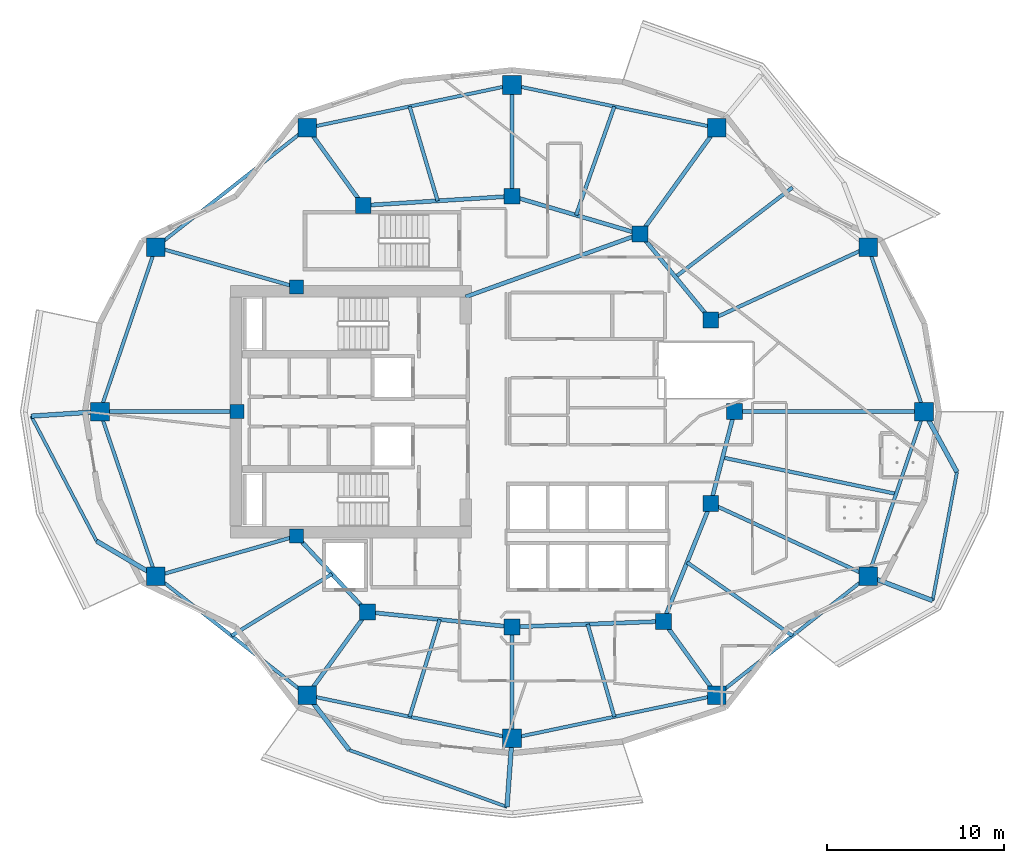
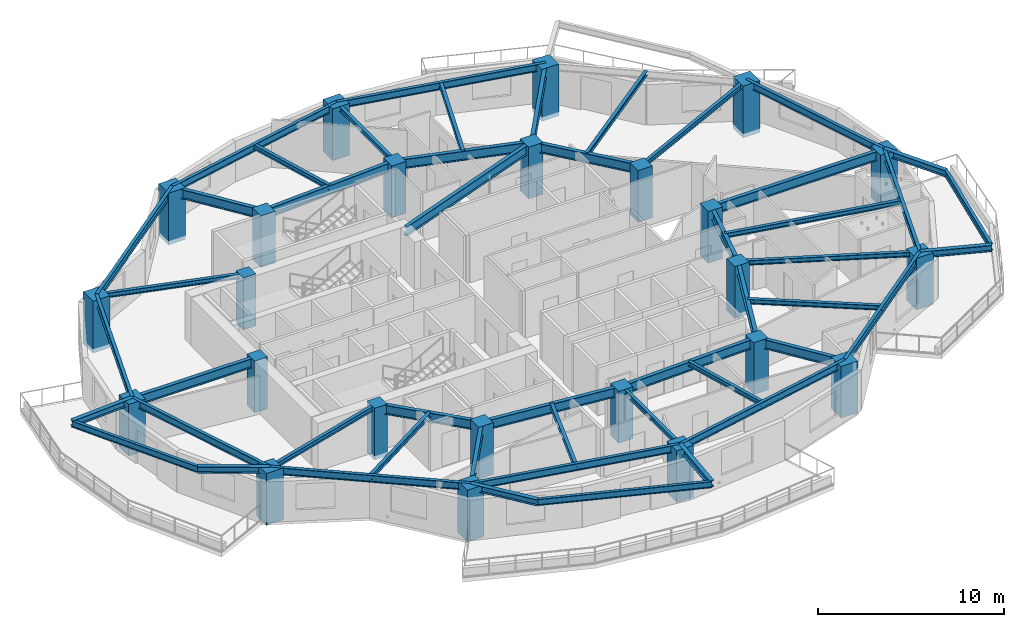
# One storey, part 1 of 14: 49 beams, 24 columns.
"""IFC4 building model written with IfcOpenShell, lengths in metres."""

from ifc_helpers import new_model, si_unit, direction, frame, origin, origin_2d, place, context, subcontext, project, spatial, rectangle, i_section, extrude, material, material_profile, profile_set, type_object, element, save


model = new_model("IFC4")

# Units and contexts
model_context = context("Model", 3, precision=1e-05, world=origin(), true_north=direction((0.0, 1.0)))
body_context = subcontext(model_context, "Body", "Model", "MODEL_VIEW")
ifc_project = project(units=[si_unit("LENGTHUNIT", "METRE"), si_unit("AREAUNIT", "SQUARE_METRE"), si_unit("VOLUMEUNIT", "CUBIC_METRE"), si_unit("PLANEANGLEUNIT", "RADIAN"), si_unit("MASSUNIT", "GRAM", prefix="KILO")], contexts=[model_context])

# Site, building, storey
site_placement = place(None, origin())
site = spatial("IfcSite", under=ifc_project, at=site_placement, CompositionType="ELEMENT")
building_placement = place(site_placement, origin())
building = spatial("IfcBuilding", under=site, at=building_placement, Name="Kolvaren Gate Tower and Convention Centre", CompositionType="ELEMENT")
storey_placement = place(building_placement, frame((0.0, 0.0, 112.10009765625)))
storey = spatial("IfcBuildingStorey", under=building, at=storey_placement, Name="L27", CompositionType="ELEMENT", Elevation=112.10009765625)

# Columns
ifc_material_1 = material(Name="Concrete C60/75", Category="concrete")
ifc_material_profile_1 = material_profile(ifc_material_1, rectangle(XDim=1.050048828125, YDim=1.050048828125, at=origin_2d()), Name="RC-COL-1050X1050")
ifc_profile_set_1 = profile_set([ifc_material_profile_1], Name="Concrete C60/75")
column_type_1 = type_object("IfcColumnType", Name="STR-COL-RC1050", PredefinedType="COLUMN", material=ifc_profile_set_1)
for number, where, z_axis, x_axis, name in (
    (1, (53.46240234375, 27.0, -0.27001953125), (0.0, 0.0, 1.0), (1.0, 0.0, 0.0), "Tower L27 Perimeter Supercolumn TP-01"),
    (2, (50.30029296875, 36.318603515625, -0.27001953125), (0.0, 0.0, 1.0), (1.0, 0.0, 0.0), "Tower L27 Perimeter Supercolumn TP-02"),
    (3, (41.721435546875, 43.068359375, -0.27001953125), (0.0, 0.0, 1.0), (1.0, 0.0, 0.0), "Tower L27 Perimeter Supercolumn TP-03"),
    (4, (30.125, 45.5, -0.27001953125), (0.0, 0.0, 1.0), (1.0, 0.0, 0.0), "Tower L27 Perimeter Supercolumn TP-04"),
    (5, (18.52880859375, 43.068359375, -0.27001953125), (0.0, 0.0, 1.0), (1.0, 0.0, 0.0), "Tower L27 Perimeter Supercolumn TP-05"),
    (6, (9.94970703125, 36.318603515625, -0.27001953125), (0.0, 0.0, 1.0), (1.0, 0.0, 0.0), "Tower L27 Perimeter Supercolumn TP-06"),
    (7, (6.78759765625, 27.0, -0.27001953125), (0.0, 0.0, 1.0), (1.0, 0.0, 0.0), "Tower L27 Perimeter Supercolumn TP-07"),
    (8, (9.94970703125, 17.681396484375, -0.27001953125), (0.0, 0.0, 1.0), (1.0, 0.0, 0.0), "Tower L27 Perimeter Supercolumn TP-08"),
    (9, (18.528564453125, 10.931640625, -0.27001953125), (0.0, 0.0, 1.0), (1.0, 0.0, 0.0), "Tower L27 Perimeter Supercolumn TP-09"),
    (10, (30.125, 8.5, -0.27001953125), (0.0, 0.0, 1.0), (1.0, 0.0, 0.0), "Tower L27 Perimeter Supercolumn TP-10"),
    (11, (41.721435546875, 10.931640625, -0.27001953125), (0.0, 0.0, 1.0), (1.0, 0.0, 0.0), "Tower L27 Perimeter Supercolumn TP-11"),
    (12, (50.30029296875, 17.681396484375, -0.27001953125), (0.0, 0.0, 1.0), (1.0, 0.0, 0.0), "Tower L27 Perimeter Supercolumn TP-12"),
):
    element("IfcColumn", number, at=place(storey_placement, frame(where, z_axis=z_axis, x_axis=x_axis)), inside=storey, type_object=column_type_1, Name=name, PredefinedType="COLUMN", context=body_context, shape_type="SweptSolid", body=[
        extrude(rectangle(XDim=1.050048828125, YDim=1.050048828125, at=origin_2d()), origin(), (0.0, 0.0, 1.0), 3.39990234375),
    ])
ifc_material_profile_2 = material_profile(ifc_material_1, rectangle(XDim=0.89990234375, YDim=0.89990234375, at=origin_2d()), Name="RC-COL-900X900")
ifc_profile_set_2 = profile_set([ifc_material_profile_2], Name="Concrete C60/75")
column_type_2 = type_object("IfcColumnType", Name="STR-COL-RC900", PredefinedType="COLUMN", material=ifc_profile_set_2)
for number, where, z_axis, x_axis, name in (
    (13, (42.72509765625, 27.0, -0.27001953125), (0.0, 0.0, 1.0), (1.0, 0.0, 0.0), "Tower L27 Interior Column TI-01"),
    (14, (41.382080078125, 32.199462890625, -0.27001953125), (0.0, 0.0, 1.0), (1.0, 0.0, 0.0), "Tower L27 Interior Column TI-02"),
    (15, (37.381591796875, 37.054931640625, -0.27001953125), (0.0, 0.0, 1.0), (1.0, 0.0, 0.0), "Tower L27 Interior Column TI-03"),
    (16, (30.125, 39.199951171875, -0.27001953125), (0.0, 0.0, 1.0), (1.0, 0.0, 0.0), "Tower L27 Interior Column TI-04"),
    (17, (21.697998046875, 38.6767578125, -0.27001953125), (0.0, 0.0, 1.0), (1.0, 0.0, 0.0), "Tower L27 Interior Column TI-05"),
    (18, (21.93212890625, 15.647705078125, -0.27001953125), (0.0, 0.0, 1.0), (1.0, 0.0, 0.0), "Tower L27 Interior Column TI-06"),
    (19, (30.125, 14.800048828125, -0.27001953125), (0.0, 0.0, 1.0), (1.0, 0.0, 0.0), "Tower L27 Interior Column TI-07"),
    (20, (38.6982421875, 15.12060546875, -0.27001953125), (0.0, 0.0, 1.0), (1.0, 0.0, 0.0), "Tower L27 Interior Column TI-08"),
    (21, (41.382080078125, 21.800537109375, -0.27001953125), (0.0, 0.0, 1.0), (1.0, 0.0, 0.0), "Tower L27 Interior Column TI-09"),
):
    element("IfcColumn", number, at=place(storey_placement, frame(where, z_axis=z_axis, x_axis=x_axis)), inside=storey, type_object=column_type_2, Name=name, PredefinedType="COLUMN", context=body_context, shape_type="SweptSolid", body=[
        extrude(rectangle(XDim=0.89990234375, YDim=0.89990234375, at=origin_2d()), origin(), (0.0, 0.0, 1.0), 3.39990234375),
    ])
ifc_material_profile_3 = material_profile(ifc_material_1, rectangle(XDim=0.800048828125, YDim=0.800048828125, at=origin_2d()), Name="RC-COL-800X800")
ifc_profile_set_3 = profile_set([ifc_material_profile_3], Name="Concrete C60/75")
column_type_3 = type_object("IfcColumnType", Name="STR-PIL-RC800", PredefinedType="PILASTER", material=ifc_profile_set_3)
for number, where, z_axis, x_axis, name in (
    (22, (17.9140625, 34.050048828125, -0.27001953125), (0.0, 0.0, 1.0), (1.0, 0.0, 0.0), "Tower L27 Core Boundary Pilaster TC-05"),
    (23, (14.550048828125, 27.0, -0.27001953125), (0.0, 0.0, 1.0), (1.0, 0.0, 0.0), "Tower L27 Core Boundary Pilaster TC-06"),
    (24, (17.9140625, 19.949951171875, -0.27001953125), (0.0, 0.0, 1.0), (1.0, 0.0, 0.0), "Tower L27 Core Boundary Pilaster TC-07"),
):
    element("IfcColumn", number, at=place(storey_placement, frame(where, z_axis=z_axis, x_axis=x_axis)), inside=storey, type_object=column_type_3, Name=name, PredefinedType="PILASTER", context=body_context, shape_type="SweptSolid", body=[
        extrude(rectangle(XDim=0.800048828125, YDim=0.800048828125, at=origin_2d()), origin(), (0.0, 0.0, 1.0), 3.39990234375),
    ])

# Beams
ifc_material_2 = material(Name="Structural steel ASTM A992 Grade 345 MPa", Category="steel")
ifc_material_profile_4 = material_profile(ifc_material_2, i_section(OverallWidth=0.260009765625, OverallDepth=0.419921875, WebThickness=0.013427734375, FlangeThickness=0.0224609375, at=origin_2d()), Name="W410X132")
ifc_profile_set_4 = profile_set([ifc_material_profile_4], Name="Structural steel ASTM A992 Grade 345 MPa")
beam_type_1 = type_object("IfcBeamType", Name="STR-BM-W410X132", PredefinedType="BEAM", material=ifc_profile_set_4)
for number, where, z_axis, x_axis, name in (
    (25, (6.78759765625, 27.0, 2.92041015625), (-0.997849773417, -0.06554257922, 0.0), (0.06554257922, -0.997849773417, 0.0), "Tower L28 Planted Balcony Outrigger Cantilever BC-2A"),
    (26, (9.94970703125, 17.681396484375, 2.92041015625), (-0.860390154059, 0.509635931621, 0.0), (-0.509635931621, -0.860390154059, 0.0), "Tower L28 Planted Balcony Outrigger Cantilever BC-2B"),
    (27, (18.528564453125, 10.931640625, 2.92041015625), (0.607684772981, -0.794178328014, 0.0), (0.794178328014, 0.607684772981, 0.0), "Tower L28 Planted Balcony Outrigger Cantilever BC-3A"),
    (28, (30.125, 8.5, 2.92041015625), (-0.072866291763, -0.997341718532, 0.0), (0.997341718532, -0.072866291763, 0.0), "Tower L28 Planted Balcony Outrigger Cantilever BC-3B"),
    (29, (50.30029296875, 17.681396484375, 2.92041015625), (0.935054778076, -0.354503260912, 0.0), (0.354503260912, 0.935054778076, 0.0), "Tower L28 Planted Balcony Outrigger Cantilever BC-4A"),
):
    element("IfcBeam", number, at=place(storey_placement, frame(where, z_axis=z_axis, x_axis=x_axis)), inside=storey, type_object=beam_type_1, Name=name, PredefinedType="BEAM", context=body_context, shape_type="SweptSolid", body=[
        extrude(i_section(OverallWidth=0.260009765625, OverallDepth=0.419921875, WebThickness=0.013427734375, FlangeThickness=0.0224609375, at=origin_2d()), origin(), (0.0, 0.0, 1.0), 3.89990234375),
    ])
beam_1_placement = place(storey_placement, frame((53.46240234375, 27.0, 2.92041015625), z_axis=(0.478878445754, -0.877881218726, 0.0), x_axis=(0.877881218726, 0.478878445754, 0.0)))
element("IfcBeam", 30, at=beam_1_placement, inside=storey, type_object=beam_type_1, Name="Tower L28 Planted Balcony Outrigger Cantilever BC-4B", PredefinedType="BEAM", context=body_context, shape_type="SweptSolid", body=[
    extrude(i_section(OverallWidth=0.260009765625, OverallDepth=0.419921875, WebThickness=0.013427734375, FlangeThickness=0.0224609375, at=origin_2d()), origin(), (0.0, 0.0, 1.0), 3.900146484375),
])
ifc_material_profile_5 = material_profile(ifc_material_2, i_section(OverallWidth=0.22998046875, OverallDepth=0.616943359375, WebThickness=0.01318359375, FlangeThickness=0.022216796875, at=origin_2d()), Name="W610X140")
ifc_profile_set_5 = profile_set([ifc_material_profile_5], Name="Structural steel ASTM A992 Grade 345 MPa")
beam_type_2 = type_object("IfcBeamType", Name="STR-BM-W610X140", PredefinedType="BEAM", material=ifc_profile_set_5)
beam_2_placement = place(storey_placement, frame((42.72509765625, 27.0, 2.8212890625), z_axis=(-0.250091133936, -0.968222301296, 0.0), x_axis=(0.968222301296, -0.250091133936, 0.0)))
element("IfcBeam", 31, at=beam_2_placement, inside=storey, type_object=beam_type_2, Name="Tower L27 Primary Ring Girder G-01", PredefinedType="BEAM", context=body_context, shape_type="SweptSolid", body=[
    extrude(i_section(OverallWidth=0.22998046875, OverallDepth=0.616943359375, WebThickness=0.01318359375, FlangeThickness=0.022216796875, at=origin_2d()), origin(), (0.0, 0.0, 1.0), 5.3701171875),
])
beam_3_placement = place(storey_placement, frame((41.382080078125, 32.199462890625, 2.8212890625), z_axis=(-0.635884066011, 0.771784590798, 0.0), x_axis=(-0.771784590798, -0.635884066011, 0.0)))
element("IfcBeam", 32, at=beam_3_placement, inside=storey, type_object=beam_type_2, Name="Tower L27 Primary Ring Girder G-02", PredefinedType="BEAM", context=body_context, shape_type="SweptSolid", body=[
    extrude(i_section(OverallWidth=0.22998046875, OverallDepth=0.616943359375, WebThickness=0.01318359375, FlangeThickness=0.022216796875, at=origin_2d()), origin(), (0.0, 0.0, 1.0), 6.291259765625),
])
beam_4_placement = place(storey_placement, frame((37.381591796875, 37.054931640625, 2.8212890625), z_axis=(-0.958980837827, 0.283470902706, 0.0), x_axis=(-0.283470902706, -0.958980837827, 0.0)))
element("IfcBeam", 33, at=beam_4_placement, inside=storey, type_object=beam_type_2, Name="Tower L27 Primary Ring Girder G-03", PredefinedType="BEAM", context=body_context, shape_type="SweptSolid", body=[
    extrude(i_section(OverallWidth=0.22998046875, OverallDepth=0.616943359375, WebThickness=0.01318359375, FlangeThickness=0.022216796875, at=origin_2d()), origin(), (0.0, 0.0, 1.0), 7.56689453125),
])
beam_5_placement = place(storey_placement, frame((30.125, 39.199951171875, 2.8212890625), z_axis=(-0.998078258568, -0.06196603726, 0.0), x_axis=(0.06196603726, -0.998078258568, 0.0)))
element("IfcBeam", 34, at=beam_5_placement, inside=storey, type_object=beam_type_2, Name="Tower L27 Primary Ring Girder G-04", PredefinedType="BEAM", context=body_context, shape_type="SweptSolid", body=[
    extrude(i_section(OverallWidth=0.22998046875, OverallDepth=0.616943359375, WebThickness=0.01318359375, FlangeThickness=0.022216796875, at=origin_2d()), origin(), (0.0, 0.0, 1.0), 8.443115234375),
])
beam_6_placement = place(storey_placement, frame((17.9140625, 19.949951171875, 2.8212890625), z_axis=(0.682557592987, -0.730831808459, 0.0), x_axis=(0.730831808459, 0.682557592987, 0.0)))
element("IfcBeam", 35, at=beam_6_placement, inside=storey, type_object=beam_type_2, Name="Tower L27 Primary Ring Girder G-06", PredefinedType="BEAM", context=body_context, shape_type="SweptSolid", body=[
    extrude(i_section(OverallWidth=0.22998046875, OverallDepth=0.616943359375, WebThickness=0.01318359375, FlangeThickness=0.022216796875, at=origin_2d()), origin(), (0.0, 0.0, 1.0), 5.88671875),
])
beam_7_placement = place(storey_placement, frame((21.93212890625, 15.647705078125, 2.8212890625), z_axis=(0.994690329115, -0.102913308978, 0.0), x_axis=(0.102913308978, 0.994690329115, 0.0)))
element("IfcBeam", 36, at=beam_7_placement, inside=storey, type_object=beam_type_2, Name="Tower L27 Primary Ring Girder G-07", PredefinedType="BEAM", context=body_context, shape_type="SweptSolid", body=[
    extrude(i_section(OverallWidth=0.22998046875, OverallDepth=0.616943359375, WebThickness=0.01318359375, FlangeThickness=0.022216796875, at=origin_2d()), origin(), (0.0, 0.0, 1.0), 8.236572265625),
])
beam_8_placement = place(storey_placement, frame((30.125, 14.800048828125, 2.8212890625), z_axis=(0.999301712453, 0.037364254142, 0.0), x_axis=(-0.037364254142, 0.999301712453, 0.0)))
element("IfcBeam", 37, at=beam_8_placement, inside=storey, type_object=beam_type_2, Name="Tower L27 Primary Ring Girder G-08", PredefinedType="BEAM", context=body_context, shape_type="SweptSolid", body=[
    extrude(i_section(OverallWidth=0.22998046875, OverallDepth=0.616943359375, WebThickness=0.01318359375, FlangeThickness=0.022216796875, at=origin_2d()), origin(), (0.0, 0.0, 1.0), 8.579345703125),
])
beam_9_placement = place(storey_placement, frame((38.6982421875, 15.12060546875, 2.8212890625), z_axis=(0.372811100169, 0.927907260232, 0.0), x_axis=(-0.927907260232, 0.372811100169, 0.0)))
element("IfcBeam", 38, at=beam_9_placement, inside=storey, type_object=beam_type_2, Name="Tower L27 Primary Ring Girder G-09", PredefinedType="BEAM", context=body_context, shape_type="SweptSolid", body=[
    extrude(i_section(OverallWidth=0.22998046875, OverallDepth=0.616943359375, WebThickness=0.01318359375, FlangeThickness=0.022216796875, at=origin_2d()), origin(), (0.0, 0.0, 1.0), 7.198974609375),
])
beam_10_placement = place(storey_placement, frame((27.5, 33.5, 2.8212890625), z_axis=(0.940961479908, 0.338513653093, 0.0), x_axis=(-0.338513653093, 0.940961479908, 0.0)))
element("IfcBeam", 39, at=beam_10_placement, inside=storey, type_object=beam_type_2, Name="Tower L27 Primary Ring Girder G-10", PredefinedType="BEAM", context=body_context, shape_type="SweptSolid", body=[
    extrude(i_section(OverallWidth=0.22998046875, OverallDepth=0.616943359375, WebThickness=0.01318359375, FlangeThickness=0.022216796875, at=origin_2d()), origin(), (0.0, 0.0, 1.0), 10.501708984375),
])
beam_11_placement = place(storey_placement, frame((42.72509765625, 27.0, 2.8212890625), z_axis=(1.0, 0.0, 0.0), x_axis=(0.0, 1.0, 0.0)))
element("IfcBeam", 40, at=beam_11_placement, inside=storey, type_object=beam_type_2, Name="Tower L27 Radial Floor Girder RB-01", PredefinedType="BEAM", context=body_context, shape_type="SweptSolid", body=[
    extrude(i_section(OverallWidth=0.22998046875, OverallDepth=0.616943359375, WebThickness=0.01318359375, FlangeThickness=0.022216796875, at=origin_2d()), origin(), (0.0, 0.0, 1.0), 10.7373046875),
])
beam_12_placement = place(storey_placement, frame((37.381591796875, 37.054931640625, 2.8212890625), z_axis=(0.585208050015, 0.810883184064, 0.0), x_axis=(-0.810883184064, 0.585208050015, 0.0)))
element("IfcBeam", 41, at=beam_12_placement, inside=storey, type_object=beam_type_2, Name="Tower L27 Radial Floor Girder RB-03", PredefinedType="BEAM", context=body_context, shape_type="SweptSolid", body=[
    extrude(i_section(OverallWidth=0.22998046875, OverallDepth=0.616943359375, WebThickness=0.01318359375, FlangeThickness=0.022216796875, at=origin_2d()), origin(), (0.0, 0.0, 1.0), 7.416015625),
])
beam_13_placement = place(storey_placement, frame((21.697998046875, 38.6767578125, 2.8212890625), z_axis=(-0.585184369967, 0.810900273243, 0.0), x_axis=(-0.810900273243, -0.585184369967, 0.0)))
element("IfcBeam", 42, at=beam_13_placement, inside=storey, type_object=beam_type_2, Name="Tower L27 Radial Floor Girder RB-05", PredefinedType="BEAM", context=body_context, shape_type="SweptSolid", body=[
    extrude(i_section(OverallWidth=0.22998046875, OverallDepth=0.616943359375, WebThickness=0.01318359375, FlangeThickness=0.022216796875, at=origin_2d()), origin(), (0.0, 0.0, 1.0), 5.415771484375),
])
beam_14_placement = place(storey_placement, frame((14.550048828125, 27.0, 2.8212890625), z_axis=(-1.0, 0.0, 0.0), x_axis=(0.0, -1.0, 0.0)))
element("IfcBeam", 43, at=beam_14_placement, inside=storey, type_object=beam_type_2, Name="Tower L27 Radial Floor Girder RB-07", PredefinedType="BEAM", context=body_context, shape_type="SweptSolid", body=[
    extrude(i_section(OverallWidth=0.22998046875, OverallDepth=0.616943359375, WebThickness=0.01318359375, FlangeThickness=0.022216796875, at=origin_2d()), origin(), (0.0, 0.0, 1.0), 7.762451171875),
])
beam_15_placement = place(storey_placement, frame((21.93212890625, 15.647705078125, 2.8212890625), z_axis=(-0.585210043569, -0.810881745328, 0.0), x_axis=(0.810881745328, -0.585210043569, 0.0)))
element("IfcBeam", 44, at=beam_15_placement, inside=storey, type_object=beam_type_2, Name="Tower L27 Radial Floor Girder RB-09", PredefinedType="BEAM", context=body_context, shape_type="SweptSolid", body=[
    extrude(i_section(OverallWidth=0.22998046875, OverallDepth=0.616943359375, WebThickness=0.01318359375, FlangeThickness=0.022216796875, at=origin_2d()), origin(), (0.0, 0.0, 1.0), 5.81591796875),
])
beam_16_placement = place(storey_placement, frame((38.6982421875, 15.12060546875, 2.8212890625), z_axis=(0.585214440031, -0.810878572401, 0.0), x_axis=(0.810878572401, 0.585214440031, 0.0)))
element("IfcBeam", 45, at=beam_16_placement, inside=storey, type_object=beam_type_2, Name="Tower L27 Radial Floor Girder RB-11", PredefinedType="BEAM", context=body_context, shape_type="SweptSolid", body=[
    extrude(i_section(OverallWidth=0.22998046875, OverallDepth=0.616943359375, WebThickness=0.01318359375, FlangeThickness=0.022216796875, at=origin_2d()), origin(), (0.0, 0.0, 1.0), 5.166015625),
])
ifc_material_profile_6 = material_profile(ifc_material_2, i_section(OverallWidth=0.205078125, OverallDepth=0.31005859375, WebThickness=0.009521484375, FlangeThickness=0.016357421875, at=origin_2d()), Name="W310X74")
ifc_profile_set_6 = profile_set([ifc_material_profile_6], Name="Structural steel ASTM A992 Grade 345 MPa")
beam_type_3 = type_object("IfcBeamType", Name="STR-JS-W310X74", PredefinedType="JOIST", material=ifc_profile_set_6)
beam_17_placement = place(storey_placement, frame((41.382080078125, 32.199462890625, 2.974853515625), z_axis=(0.907841510795, 0.419313476146, 0.0), x_axis=(-0.419313476146, 0.907841510795, 0.0)))
element("IfcBeam", 46, at=beam_17_placement, inside=storey, type_object=beam_type_3, Name="Tower L27 Radial Floor Girder RB-02", PredefinedType="JOIST", context=body_context, shape_type="SweptSolid", body=[
    extrude(i_section(OverallWidth=0.205078125, OverallDepth=0.31005859375, WebThickness=0.009521484375, FlangeThickness=0.016357421875, at=origin_2d()), origin(), (0.0, 0.0, 1.0), 9.823486328125),
])
beam_18_placement = place(storey_placement, frame((30.125, 39.199951171875, 2.974853515625), z_axis=(0.0, 1.0, 0.0), x_axis=(-1.0, 0.0, 0.0)))
element("IfcBeam", 47, at=beam_18_placement, inside=storey, type_object=beam_type_3, Name="Tower L27 Radial Floor Girder RB-04", PredefinedType="JOIST", context=body_context, shape_type="SweptSolid", body=[
    extrude(i_section(OverallWidth=0.205078125, OverallDepth=0.31005859375, WebThickness=0.009521484375, FlangeThickness=0.016357421875, at=origin_2d()), origin(), (0.0, 0.0, 1.0), 6.300048828125),
])
for number, where, z_axis, x_axis, name in (
    (48, (17.9140625, 34.050048828125, 2.974853515625), (-0.961746134311, 0.27394228067, 0.0), (-0.27394228067, -0.961746134311, 0.0), "Tower L27 Radial Floor Girder RB-06"),
    (49, (17.9140625, 19.949951171875, 2.974853515625), (-0.961746134311, -0.27394228067, 0.0), (0.27394228067, -0.961746134311, 0.0), "Tower L27 Radial Floor Girder RB-08"),
):
    element("IfcBeam", number, at=place(storey_placement, frame(where, z_axis=z_axis, x_axis=x_axis)), inside=storey, type_object=beam_type_3, Name=name, PredefinedType="JOIST", context=body_context, shape_type="SweptSolid", body=[
        extrude(i_section(OverallWidth=0.205078125, OverallDepth=0.31005859375, WebThickness=0.009521484375, FlangeThickness=0.016357421875, at=origin_2d()), origin(), (0.0, 0.0, 1.0), 8.28125),
    ])
beam_19_placement = place(storey_placement, frame((30.125, 14.800048828125, 2.974853515625), z_axis=(0.0, -1.0, 0.0), x_axis=(1.0, 0.0, 0.0)))
element("IfcBeam", 50, at=beam_19_placement, inside=storey, type_object=beam_type_3, Name="Tower L27 Radial Floor Girder RB-10", PredefinedType="JOIST", context=body_context, shape_type="SweptSolid", body=[
    extrude(i_section(OverallWidth=0.205078125, OverallDepth=0.31005859375, WebThickness=0.009521484375, FlangeThickness=0.016357421875, at=origin_2d()), origin(), (0.0, 0.0, 1.0), 6.300048828125),
])
beam_20_placement = place(storey_placement, frame((41.382080078125, 21.800537109375, 2.974853515625), z_axis=(0.907841510795, -0.419313476146, 0.0), x_axis=(0.419313476146, 0.907841510795, 0.0)))
element("IfcBeam", 51, at=beam_20_placement, inside=storey, type_object=beam_type_3, Name="Tower L27 Radial Floor Girder RB-12", PredefinedType="JOIST", context=body_context, shape_type="SweptSolid", body=[
    extrude(i_section(OverallWidth=0.205078125, OverallDepth=0.31005859375, WebThickness=0.009521484375, FlangeThickness=0.016357421875, at=origin_2d()), origin(), (0.0, 0.0, 1.0), 9.823486328125),
])
beam_21_placement = place(storey_placement, frame((39.3818359375, 34.627197265625, 2.974853515625), z_axis=(0.79454218325, 0.607208958297, 0.0), x_axis=(-0.607208958297, 0.79454218325, 0.0)))
element("IfcBeam", 52, at=beam_21_placement, inside=storey, type_object=beam_type_3, Name="Tower L27 Secondary Composite Floor Joist J-02.1", PredefinedType="JOIST", context=body_context, shape_type="SweptSolid", body=[
    extrude(i_section(OverallWidth=0.205078125, OverallDepth=0.31005859375, WebThickness=0.009521484375, FlangeThickness=0.016357421875, at=origin_2d()), origin(), (0.0, 0.0, 1.0), 8.34326171875),
])
beam_22_placement = place(storey_placement, frame((33.75341796875, 38.12744140625, 2.974853515625), z_axis=(0.332372088023, 0.943148342046, 0.0), x_axis=(-0.943148342046, 0.332372088023, 0.0)))
element("IfcBeam", 53, at=beam_22_placement, inside=storey, type_object=beam_type_3, Name="Tower L27 Secondary Composite Floor Joist J-03.1", PredefinedType="JOIST", context=body_context, shape_type="SweptSolid", body=[
    extrude(i_section(OverallWidth=0.205078125, OverallDepth=0.31005859375, WebThickness=0.009521484375, FlangeThickness=0.016357421875, at=origin_2d()), origin(), (0.0, 0.0, 1.0), 6.52783203125),
])
beam_23_placement = place(storey_placement, frame((25.91162109375, 38.938232421875, 2.974853515625), z_axis=(-0.284209081553, 0.958762326107, 0.0), x_axis=(-0.958762326107, -0.284209081553, 0.0)))
element("IfcBeam", 54, at=beam_23_placement, inside=storey, type_object=beam_type_3, Name="Tower L27 Secondary Composite Floor Joist J-04.1", PredefinedType="JOIST", context=body_context, shape_type="SweptSolid", body=[
    extrude(i_section(OverallWidth=0.205078125, OverallDepth=0.31005859375, WebThickness=0.009521484375, FlangeThickness=0.016357421875, at=origin_2d()), origin(), (0.0, 0.0, 1.0), 5.575927734375),
])
beam_24_placement = place(storey_placement, frame((19.923095703125, 17.798828125, 2.974853515625), z_axis=(-0.852013723702, -0.523519450091, 0.0), x_axis=(0.523519450091, -0.852013723702, 0.0)))
element("IfcBeam", 55, at=beam_24_placement, inside=storey, type_object=beam_type_3, Name="Tower L27 Secondary Composite Floor Joist J-08.1", PredefinedType="JOIST", context=body_context, shape_type="SweptSolid", body=[
    extrude(i_section(OverallWidth=0.205078125, OverallDepth=0.31005859375, WebThickness=0.009521484375, FlangeThickness=0.016357421875, at=origin_2d()), origin(), (0.0, 0.0, 1.0), 6.671142578125),
])
beam_25_placement = place(storey_placement, frame((26.028564453125, 15.223876953125, 2.974853515625), z_axis=(-0.295174836894, -0.95544325612, 0.0), x_axis=(0.95544325612, -0.295174836894, 0.0)))
element("IfcBeam", 56, at=beam_25_placement, inside=storey, type_object=beam_type_3, Name="Tower L27 Secondary Composite Floor Joist J-09.1", PredefinedType="JOIST", context=body_context, shape_type="SweptSolid", body=[
    extrude(i_section(OverallWidth=0.205078125, OverallDepth=0.31005859375, WebThickness=0.009521484375, FlangeThickness=0.016357421875, at=origin_2d()), origin(), (0.0, 0.0, 1.0), 5.764892578125),
])
beam_26_placement = place(storey_placement, frame((34.41162109375, 14.960205078125, 2.974853515625), z_axis=(0.27693589933, -0.960888395009, 0.0), x_axis=(0.960888395009, 0.27693589933, 0.0)))
element("IfcBeam", 57, at=beam_26_placement, inside=storey, type_object=beam_type_3, Name="Tower L27 Secondary Composite Floor Joist J-10.1", PredefinedType="JOIST", context=body_context, shape_type="SweptSolid", body=[
    extrude(i_section(OverallWidth=0.205078125, OverallDepth=0.31005859375, WebThickness=0.009521484375, FlangeThickness=0.016357421875, at=origin_2d()), origin(), (0.0, 0.0, 1.0), 5.457763671875),
])
beam_27_placement = place(storey_placement, frame((40.040283203125, 18.46044921875, 2.974853515625), z_axis=(0.820871677882, -0.571112675792, 0.0), x_axis=(0.571112675792, 0.820871677882, 0.0)))
element("IfcBeam", 58, at=beam_27_placement, inside=storey, type_object=beam_type_3, Name="Tower L27 Secondary Composite Floor Joist J-11.1", PredefinedType="JOIST", context=body_context, shape_type="SweptSolid", body=[
    extrude(i_section(OverallWidth=0.205078125, OverallDepth=0.31005859375, WebThickness=0.009521484375, FlangeThickness=0.016357421875, at=origin_2d()), origin(), (0.0, 0.0, 1.0), 7.273681640625),
])
beam_28_placement = place(storey_placement, frame((42.0537109375, 24.400146484375, 2.974853515625), z_axis=(0.978743091795, -0.205090127175, 0.0), x_axis=(0.205090127175, 0.978743091795, 0.0)))
element("IfcBeam", 59, at=beam_28_placement, inside=storey, type_object=beam_type_3, Name="Tower L27 Secondary Composite Floor Joist J-12.1", PredefinedType="JOIST", context=body_context, shape_type="SweptSolid", body=[
    extrude(i_section(OverallWidth=0.205078125, OverallDepth=0.31005859375, WebThickness=0.009521484375, FlangeThickness=0.016357421875, at=origin_2d()), origin(), (0.0, 0.0, 1.0), 10.041015625),
])
ifc_material_profile_7 = material_profile(ifc_material_2, i_section(OverallWidth=0.180908203125, OverallDepth=0.4169921875, WebThickness=0.010986328125, FlangeThickness=0.018310546875, at=origin_2d()), Name="W410X85")
ifc_profile_set_7 = profile_set([ifc_material_profile_7], Name="Structural steel ASTM A992 Grade 345 MPa")
beam_type_4 = type_object("IfcBeamType", Name="STR-SP-W410X85", PredefinedType="SPANDREL", material=ifc_profile_set_7)
beam_29_placement = place(storey_placement, frame((2.89599609375, 26.744384765625, 2.921875), z_axis=(0.463226370738, -0.886239995403, 0.0), x_axis=(0.886239995403, 0.463226370738, 0.0)))
element("IfcBeam", 60, at=beam_29_placement, inside=storey, type_object=beam_type_4, Name="Tower L28 Planted Balcony Header Tie Beam BT-2", PredefinedType="SPANDREL", context=body_context, shape_type="SweptSolid", body=[
    extrude(i_section(OverallWidth=0.180908203125, OverallDepth=0.4169921875, WebThickness=0.010986328125, FlangeThickness=0.018310546875, at=origin_2d()), origin(), (0.0, 0.0, 1.0), 7.983642578125),
])
beam_30_placement = place(storey_placement, frame((20.8984375, 7.83447265625, 2.921875), z_axis=(0.940724254556, -0.339172340987, 0.0), x_axis=(0.339172340987, 0.940724254556, 0.0)))
element("IfcBeam", 61, at=beam_30_placement, inside=storey, type_object=beam_type_4, Name="Tower L28 Planted Balcony Header Tie Beam BT-3", PredefinedType="SPANDREL", context=body_context, shape_type="SweptSolid", body=[
    extrude(i_section(OverallWidth=0.180908203125, OverallDepth=0.4169921875, WebThickness=0.010986328125, FlangeThickness=0.018310546875, at=origin_2d()), origin(), (0.0, 0.0, 1.0), 9.505859375),
])
beam_31_placement = place(storey_placement, frame((53.947021484375, 16.298828125, 2.921875), z_axis=(0.186707724087, 0.982415505663, 0.0), x_axis=(-0.982415505663, 0.186707724087, 0.0)))
element("IfcBeam", 62, at=beam_31_placement, inside=storey, type_object=beam_type_4, Name="Tower L28 Planted Balcony Header Tie Beam BT-4", PredefinedType="SPANDREL", context=body_context, shape_type="SweptSolid", body=[
    extrude(i_section(OverallWidth=0.180908203125, OverallDepth=0.4169921875, WebThickness=0.010986328125, FlangeThickness=0.018310546875, at=origin_2d()), origin(), (0.0, 0.0, 1.0), 7.40771484375),
])
ifc_material_profile_8 = material_profile(ifc_material_2, i_section(OverallWidth=0.194091796875, OverallDepth=0.468994140625, WebThickness=0.0126953125, FlangeThickness=0.0205078125, at=origin_2d()), Name="W460X106")
ifc_profile_set_8 = profile_set([ifc_material_profile_8], Name="Structural steel ASTM A992 Grade 345 MPa")
beam_type_5 = type_object("IfcBeamType", Name="STR-SP-W460X106", PredefinedType="SPANDREL", material=ifc_profile_set_8)
beam_32_placement = place(storey_placement, frame((53.46240234375, 27.0, 2.8955078125), z_axis=(-0.321336471485, 0.946965084939, 0.0), x_axis=(-0.946965084939, -0.321336471485, 0.0)))
element("IfcBeam", 63, at=beam_32_placement, inside=storey, type_object=beam_type_5, Name="Tower L27 Perimeter Spandrel Beam SP-01", PredefinedType="SPANDREL", context=body_context, shape_type="SweptSolid", body=[
    extrude(i_section(OverallWidth=0.194091796875, OverallDepth=0.468994140625, WebThickness=0.0126953125, FlangeThickness=0.0205078125, at=origin_2d()), origin(), (0.0, 0.0, 1.0), 9.840576171875),
])
beam_33_placement = place(storey_placement, frame((41.721435546875, 43.068359375, 2.8955078125), z_axis=(-0.978714746947, 0.205225349578, 0.0), x_axis=(-0.205225349578, -0.978714746947, 0.0)))
element("IfcBeam", 64, at=beam_33_placement, inside=storey, type_object=beam_type_5, Name="Tower L27 Perimeter Spandrel Beam SP-03", PredefinedType="SPANDREL", context=body_context, shape_type="SweptSolid", body=[
    extrude(i_section(OverallWidth=0.194091796875, OverallDepth=0.468994140625, WebThickness=0.0126953125, FlangeThickness=0.0205078125, at=origin_2d()), origin(), (0.0, 0.0, 1.0), 11.8486328125),
])
beam_34_placement = place(storey_placement, frame((30.125, 45.5, 2.8955078125), z_axis=(-0.978713879092, -0.20522948831, 0.0), x_axis=(0.20522948831, -0.978713879092, 0.0)))
element("IfcBeam", 65, at=beam_34_placement, inside=storey, type_object=beam_type_5, Name="Tower L27 Perimeter Spandrel Beam SP-04", PredefinedType="SPANDREL", context=body_context, shape_type="SweptSolid", body=[
    extrude(i_section(OverallWidth=0.194091796875, OverallDepth=0.468994140625, WebThickness=0.0126953125, FlangeThickness=0.0205078125, at=origin_2d()), origin(), (0.0, 0.0, 1.0), 11.848388671875),
])
beam_35_placement = place(storey_placement, frame((18.52880859375, 43.068359375, 2.8955078125), z_axis=(-0.785916161629, -0.61833307116, 0.0), x_axis=(0.61833307116, -0.785916161629, 0.0)))
element("IfcBeam", 66, at=beam_35_placement, inside=storey, type_object=beam_type_5, Name="Tower L27 Perimeter Spandrel Beam SP-05", PredefinedType="SPANDREL", context=body_context, shape_type="SweptSolid", body=[
    extrude(i_section(OverallWidth=0.194091796875, OverallDepth=0.468994140625, WebThickness=0.0126953125, FlangeThickness=0.0205078125, at=origin_2d()), origin(), (0.0, 0.0, 1.0), 10.916015625),
])
for number, where, z_axis, x_axis, name in (
    (67, (9.94970703125, 36.318603515625, 2.8955078125), (-0.321336471485, -0.946965084939, 0.0), (0.946965084939, -0.321336471485, 0.0), "Tower L27 Perimeter Spandrel Beam SP-06"),
    (68, (6.78759765625, 27.0, 2.8955078125), (0.321336471485, -0.946965084939, 0.0), (0.946965084939, 0.321336471485, 0.0), "Tower L27 Perimeter Spandrel Beam SP-07"),
):
    element("IfcBeam", number, at=place(storey_placement, frame(where, z_axis=z_axis, x_axis=x_axis)), inside=storey, type_object=beam_type_5, Name=name, PredefinedType="SPANDREL", context=body_context, shape_type="SweptSolid", body=[
        extrude(i_section(OverallWidth=0.194091796875, OverallDepth=0.468994140625, WebThickness=0.0126953125, FlangeThickness=0.0205078125, at=origin_2d()), origin(), (0.0, 0.0, 1.0), 9.840576171875),
    ])
beam_36_placement = place(storey_placement, frame((9.94970703125, 17.681396484375, 2.8955078125), z_axis=(0.785907610354, -0.618343939881, 0.0), x_axis=(0.618343939881, 0.785907610354, 0.0)))
element("IfcBeam", 69, at=beam_36_placement, inside=storey, type_object=beam_type_5, Name="Tower L27 Perimeter Spandrel Beam SP-08", PredefinedType="SPANDREL", context=body_context, shape_type="SweptSolid", body=[
    extrude(i_section(OverallWidth=0.194091796875, OverallDepth=0.468994140625, WebThickness=0.0126953125, FlangeThickness=0.0205078125, at=origin_2d()), origin(), (0.0, 0.0, 1.0), 10.915771484375),
])
for number, where, z_axis, x_axis, name in (
    (70, (18.528564453125, 10.931640625, 2.8955078125), (0.978714746947, -0.205225349578, 0.0), (0.205225349578, 0.978714746947, 0.0), "Tower L27 Perimeter Spandrel Beam SP-09"),
    (71, (30.125, 8.5, 2.8955078125), (0.978714746947, 0.205225349578, 0.0), (-0.205225349578, 0.978714746947, 0.0), "Tower L27 Perimeter Spandrel Beam SP-10"),
):
    element("IfcBeam", number, at=place(storey_placement, frame(where, z_axis=z_axis, x_axis=x_axis)), inside=storey, type_object=beam_type_5, Name=name, PredefinedType="SPANDREL", context=body_context, shape_type="SweptSolid", body=[
        extrude(i_section(OverallWidth=0.194091796875, OverallDepth=0.468994140625, WebThickness=0.0126953125, FlangeThickness=0.0205078125, at=origin_2d()), origin(), (0.0, 0.0, 1.0), 11.8486328125),
    ])
beam_37_placement = place(storey_placement, frame((41.721435546875, 10.931640625, 2.8955078125), z_axis=(0.785907610354, 0.618343939881, 0.0), x_axis=(-0.618343939881, 0.785907610354, 0.0)))
element("IfcBeam", 72, at=beam_37_placement, inside=storey, type_object=beam_type_5, Name="Tower L27 Perimeter Spandrel Beam SP-11", PredefinedType="SPANDREL", context=body_context, shape_type="SweptSolid", body=[
    extrude(i_section(OverallWidth=0.194091796875, OverallDepth=0.468994140625, WebThickness=0.0126953125, FlangeThickness=0.0205078125, at=origin_2d()), origin(), (0.0, 0.0, 1.0), 10.915771484375),
])
beam_38_placement = place(storey_placement, frame((50.30029296875, 17.681396484375, 2.8955078125), z_axis=(0.321336471485, 0.946965084939, 0.0), x_axis=(-0.946965084939, 0.321336471485, 0.0)))
element("IfcBeam", 73, at=beam_38_placement, inside=storey, type_object=beam_type_5, Name="Tower L27 Perimeter Spandrel Beam SP-12", PredefinedType="SPANDREL", context=body_context, shape_type="SweptSolid", body=[
    extrude(i_section(OverallWidth=0.194091796875, OverallDepth=0.468994140625, WebThickness=0.0126953125, FlangeThickness=0.0205078125, at=origin_2d()), origin(), (0.0, 0.0, 1.0), 9.840576171875),
])

save(model, "model.ifc")
